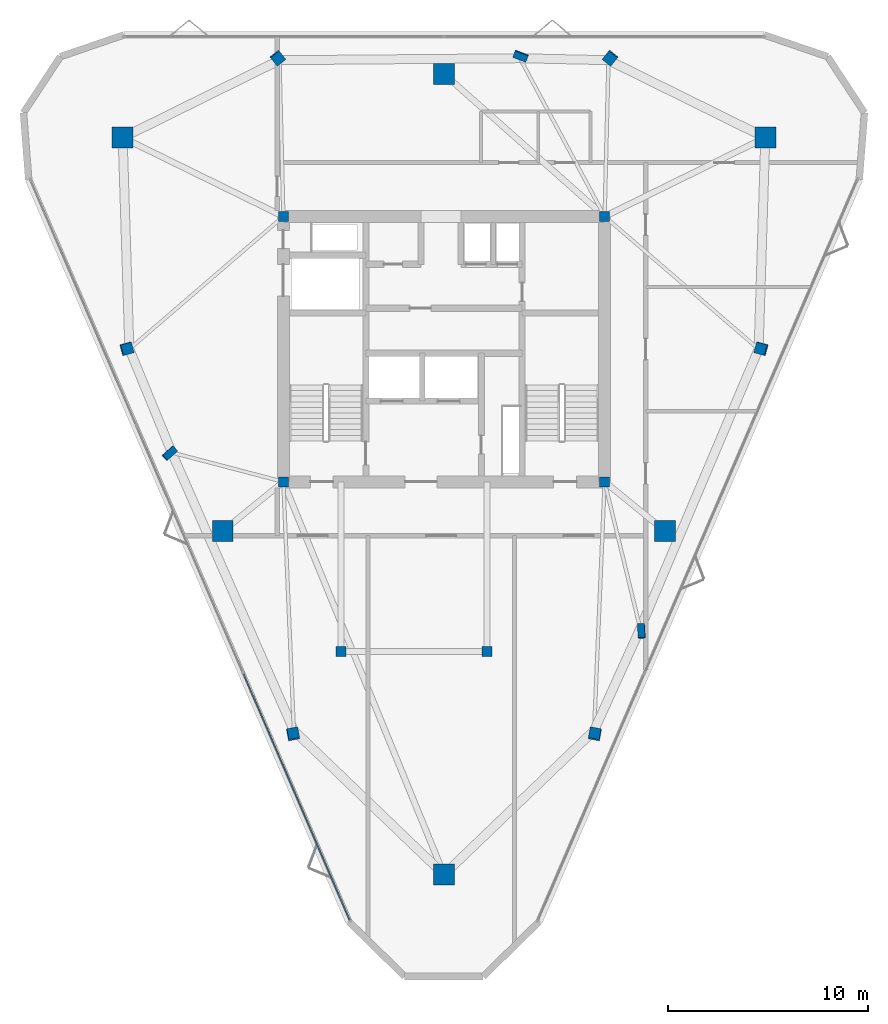
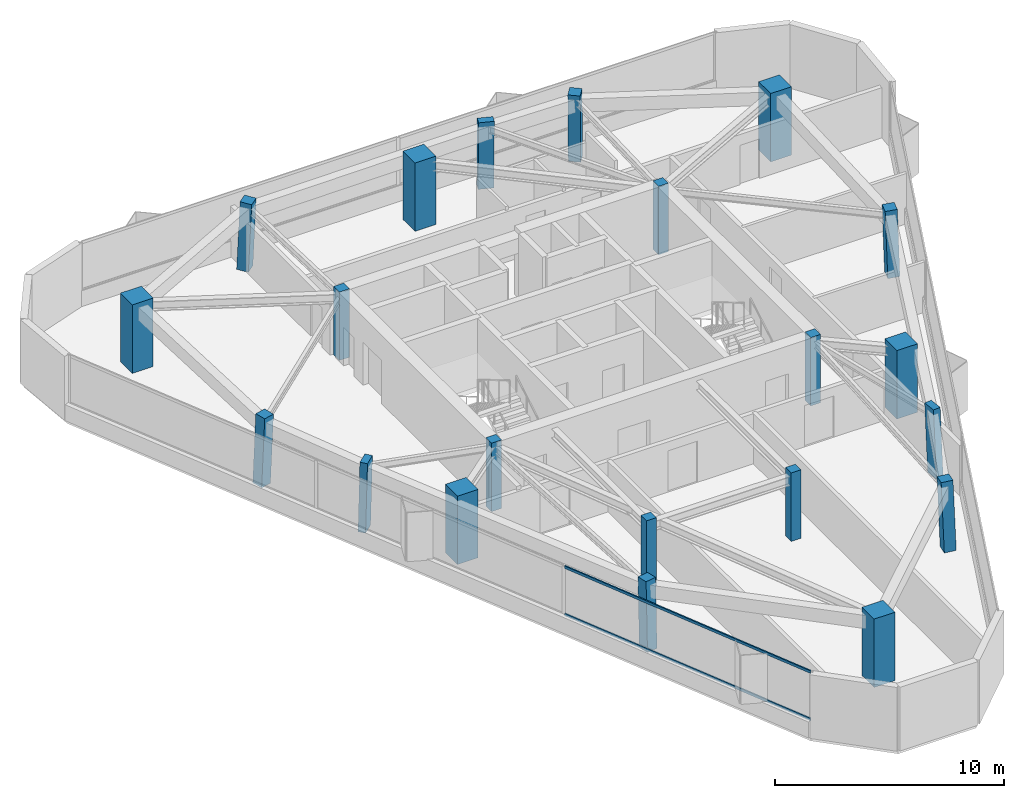
# One storey, part 1 of 9: 21 columns, 2 members, 1 element without a shape of its own.
"""IFC4 building model written with IfcOpenShell, lengths in metres."""

import ifcopenshell
import ifcopenshell.guid

model = None  # the IFC model being written
_history = None  # IfcOwnerHistory: only IFC2X3 demands one
_inside = {}  # id of a spatial element -> (the spatial element, [elements in it])
_under = {}  # id of a project, library or spatial element -> (it, [spatial elements below it])
_declared = {}  # id of a project -> (the project, [libraries it declares])
_typed = {}  # id of a type object -> (the type object, [elements of that type])
_made_of = {}  # id of a material, layer set ... -> (it, [elements and type objects made of it])


def new_model(schema):
    """Start an empty IFC model of exactly this schema.

    Asked for "IFC4X3", IfcOpenShell would pick the latest addendum, in which some entities
    have other attributes; the version numbers below select the first issue.
    IFC2X3 requires an IfcOwnerHistory on every rooted entity: one is made here for all.
    """
    global model, _history
    if schema == "IFC4X3":
        model = ifcopenshell.file(schema_version=(4, 3, 0, 0))
    else:
        model = ifcopenshell.file(schema=schema)
    _inside.clear()
    _under.clear()
    _declared.clear()
    _typed.clear()
    _made_of.clear()
    _history = None
    if model.schema == "IFC2X3":
        org = make("IfcOrganization", Name="unknown")
        user = make(
            "IfcPersonAndOrganization",
            ThePerson=make("IfcPerson", FamilyName="unknown"),
            TheOrganization=org,
        )
        app = make(
            "IfcApplication",
            ApplicationDeveloper=org,
            Version="unknown",
            ApplicationFullName="unknown",
            ApplicationIdentifier="unknown",
        )
        _history = make(
            "IfcOwnerHistory",
            OwningUser=user,
            OwningApplication=app,
            ChangeAction="ADDED",
            CreationDate=0,
        )
    return model


def make(cls, **values):
    """One entity of the class cls with the attributes given. An attribute that is None is left unset."""
    return model.create_entity(
        cls, **{name: value for name, value in values.items() if value is not None}
    )


def rooted(cls, **values):
    """An entity with a GlobalId (a new one), such as an element, a storey or a relation."""
    return make(cls, GlobalId=ifcopenshell.guid.new(), OwnerHistory=_history, **values)


def si_unit(unit_type, name, prefix=None):
    """IfcSIUnit, for example si_unit("LENGTHUNIT", "METRE", prefix="MILLI")."""
    return make("IfcSIUnit", UnitType=unit_type, Prefix=prefix, Name=name)


def assignment(units):
    """IfcUnitAssignment: the units of a project."""
    return None if units is None else make("IfcUnitAssignment", Units=units)


def point(xyz):
    """IfcCartesianPoint."""
    return None if xyz is None else make("IfcCartesianPoint", Coordinates=xyz)


def direction(xyz):
    """IfcDirection."""
    return None if xyz is None else make("IfcDirection", DirectionRatios=xyz)


def frame(location, z_axis=None, x_axis=None):
    """IfcAxis2Placement3D, a coordinate frame: its origin and axes. An axis left out is left unset."""
    return make(
        "IfcAxis2Placement3D",
        Location=point(location),
        Axis=direction(z_axis),
        RefDirection=direction(x_axis),
    )


def frame_2d(location, x_axis=None):
    """IfcAxis2Placement2D, a coordinate frame in the plane: its origin and x axis."""
    return make(
        "IfcAxis2Placement2D", Location=point(location), RefDirection=direction(x_axis)
    )


def origin():
    """The frame at (0, 0, 0) with its axes left unset."""
    return frame((0.0, 0.0, 0.0))


def origin_2d():
    """The frame at (0, 0) in the plane with its x axis left unset."""
    return frame_2d((0.0, 0.0))


def place(relative_to, where):
    """IfcLocalPlacement: puts the frame where relative to a parent placement (None: the world)."""
    return make(
        "IfcLocalPlacement", PlacementRelTo=relative_to, RelativePlacement=where
    )


def context(
    kind, dimensions, precision=None, world=None, true_north=None, identifier=None
):
    """IfcGeometricRepresentationContext, for example the 3D "Model" context."""
    return make(
        "IfcGeometricRepresentationContext",
        ContextIdentifier=identifier,
        ContextType=kind,
        CoordinateSpaceDimension=dimensions,
        Precision=precision,
        WorldCoordinateSystem=world,
        TrueNorth=true_north,
    )


def subcontext(parent, identifier, kind, view, scale=None):
    """IfcGeometricRepresentationSubContext, for example "Body" below "Model"."""
    return make(
        "IfcGeometricRepresentationSubContext",
        ContextIdentifier=identifier,
        ContextType=kind,
        ParentContext=parent,
        TargetScale=scale,
        TargetView=view,
    )


def project(units=None, contexts=None):
    """IfcProject with its units and contexts."""
    return rooted(
        "IfcProject",
        Name="project",
        RepresentationContexts=contexts,
        UnitsInContext=assignment(units),
    )


def spatial(cls, under=None, at=None, **own):
    """A site, building, storey or space (cls), placed at a placement, below another one or the project."""
    s = rooted(cls, ObjectPlacement=at, **own)
    if under is not None:
        _under.setdefault(under.id(), (under, []))[1].append(s)
    return s


def profile(cls, at=None, kind="AREA", **sizes):
    """A parametric profile (cls). Its sizes go by their IFC names, for example OverallWidth=200.0."""
    return make(cls, ProfileType=kind, Position=at, **sizes)


def rectangle(**sizes):
    """IfcRectangleProfileDef."""
    return profile("IfcRectangleProfileDef", **sizes)


def extrude(swept, where, along, depth):
    """IfcExtrudedAreaSolid: the profile swept, set in the frame where, extruded along a direction by depth."""
    return make(
        "IfcExtrudedAreaSolid",
        SweptArea=swept,
        Position=where,
        ExtrudedDirection=direction(along),
        Depth=depth,
    )


def shape(context_of_items, identifier, shape_type, items):
    """IfcShapeRepresentation: the items that make up one representation, for example the "Body"."""
    return make(
        "IfcShapeRepresentation",
        ContextOfItems=context_of_items,
        RepresentationIdentifier=identifier,
        RepresentationType=shape_type,
        Items=items,
    )


def material(Name=None, Category=None):
    """IfcMaterial."""
    return make("IfcMaterial", Name=Name, Category=Category)


def layer(
    of_material, thickness, ventilated=None, Name=None, Category=None, Priority=None
):
    """IfcMaterialLayer: one layer of a wall or slab, of a material (None: an air gap)."""
    return make(
        "IfcMaterialLayer",
        Material=of_material,
        LayerThickness=thickness,
        IsVentilated=ventilated,
        Name=Name,
        Category=Category,
        Priority=Priority,
    )


def layer_set(layers, Name=None):
    """IfcMaterialLayerSet."""
    return make("IfcMaterialLayerSet", MaterialLayers=layers, LayerSetName=Name)


def material_profile(
    of_material, cross_section, Name=None, Category=None, Priority=None
):
    """IfcMaterialProfile: a cross section and its material."""
    return make(
        "IfcMaterialProfile",
        Name=Name,
        Material=of_material,
        Profile=cross_section,
        Priority=Priority,
        Category=Category,
    )


def profile_set(profiles, Name=None, composite=None):
    """IfcMaterialProfileSet."""
    return make(
        "IfcMaterialProfileSet",
        Name=Name,
        MaterialProfiles=profiles,
        CompositeProfile=composite,
    )


def made_of(thing, what):
    """Note that an element or type object is made of a material, layer set ...; save() writes the relation."""
    if what is not None:
        _made_of.setdefault(what.id(), (what, []))[1].append(thing)
    return thing


def type_object(cls, material=None, **own):
    """A type object (cls), such as IfcWallType, which elements share."""
    return made_of(rooted(cls, **own), material)


def element(
    cls,
    number,
    at=None,
    inside=None,
    cuts=None,
    type_object=None,
    material=None,
    context=None,
    identifier="Body",
    shape_type=None,
    held_by="IfcProductDefinitionShape",
    body=None,
    shapes=None,
    **own,
):
    """One element of the class cls, such as IfcWall. Its Tag is "e" and its number.

    at: its placement. inside: the storey or other place that contains it. cuts: it is an
    opening in that element (IfcRelVoidsElement). A single representation is given by context,
    identifier, shape_type and body (its items); several are given by shapes. held_by: the class
    of the entity that holds the representations. save() writes the other relations.
    """
    e = rooted(cls, Tag="e%d" % number, ObjectPlacement=at, **own)
    if body is not None:
        shapes = [shape(context, identifier, shape_type, body)]
    if shapes is not None:
        e.Representation = make(held_by, Representations=shapes)
    if inside is not None:
        _inside.setdefault(inside.id(), (inside, []))[1].append(e)
    if cuts is not None:
        rooted(
            "IfcRelVoidsElement", RelatingBuildingElement=cuts, RelatedOpeningElement=e
        )
    if type_object is not None:
        _typed.setdefault(type_object.id(), (type_object, []))[1].append(e)
    return made_of(e, material)


def aggregate(whole, parts):
    """IfcRelAggregates: a whole, such as a stair, and the parts it consists of."""
    return rooted("IfcRelAggregates", RelatingObject=whole, RelatedObjects=parts)


def save(model, path):
    """Write the relations noted so far, then the file.

    IfcRelAggregates (storeys below a building ...), IfcRelContainedInSpatialStructure (elements
    in a storey), IfcRelDefinesByType, IfcRelAssociatesMaterial and IfcRelDeclares: one each for
    every whole, place, type object, material and project.
    """
    for whole, parts in _under.values():
        aggregate(whole, parts)
    for where, things in _inside.values():
        rooted(
            "IfcRelContainedInSpatialStructure",
            RelatedElements=things,
            RelatingStructure=where,
        )
    for kind, things in _typed.values():
        rooted("IfcRelDefinesByType", RelatedObjects=things, RelatingType=kind)
    for what, things in _made_of.values():
        rooted("IfcRelAssociatesMaterial", RelatedObjects=things, RelatingMaterial=what)
    for by, libraries in _declared.values():
        rooted("IfcRelDeclares", RelatingContext=by, RelatedDefinitions=libraries)
    model.write(path)


model = new_model("IFC4")

# Units and contexts
model_context = context("Model", 3, precision=1e-05, world=origin(), true_north=direction((0.0, 1.0)))
body_context = subcontext(model_context, "Body", "Model", "MODEL_VIEW")
ifc_project = project(units=[si_unit("LENGTHUNIT", "METRE"), si_unit("AREAUNIT", "SQUARE_METRE"), si_unit("VOLUMEUNIT", "CUBIC_METRE"), si_unit("PLANEANGLEUNIT", "RADIAN"), si_unit("MASSUNIT", "GRAM", prefix="KILO")], contexts=[model_context])

# Site, building, storey
site_placement = place(None, origin())
site = spatial("IfcSite", under=ifc_project, at=site_placement, CompositionType="ELEMENT")
building_placement = place(site_placement, origin())
building = spatial("IfcBuilding", under=site, at=building_placement, Name="Talyreon Biosciences Tower", CompositionType="ELEMENT")
storey_placement = place(building_placement, frame((0.0, 0.0, 294.75)))
storey = spatial("IfcBuildingStorey", under=building, at=storey_placement, Name="L78", CompositionType="ELEMENT", Elevation=294.75)

# Columns
ifc_material_1 = material(Name="Concrete C50/60", Category="concrete")
ifc_material_profile_1 = material_profile(ifc_material_1, rectangle(XDim=0.5, YDim=0.5, at=origin_2d()), Name="RC 500x500")
ifc_profile_set_1 = profile_set([ifc_material_profile_1], Name="Concrete C50/60")
column_type_1 = type_object("IfcColumnType", Name="CrownColumn_500", PredefinedType="COLUMN", material=ifc_profile_set_1)
for number, where, z_axis, x_axis, name in (
    (1, (57.949951171875, 61.35009765625, 0.0), (0.0, 0.0, 1.0), (1.0, 0.0, 0.0), "L78 Core Column CC1"),
    (2, (74.050048828125, 61.35009765625, 0.0), (0.0, 0.0, 1.0), (1.0, 0.0, 0.0), "L78 Core Column CC2"),
    (3, (74.050048828125, 74.64990234375, 0.0), (0.0, 0.0, 1.0), (1.0, 0.0, 0.0), "L78 Core Column CC3"),
    (4, (57.949951171875, 74.64990234375, 0.0), (0.0, 0.0, 1.0), (1.0, 0.0, 0.0), "L78 Core Column CC4"),
    (5, (60.85009765625, 52.840087890625, 0.0), (0.0, 0.0, 1.0), (1.0, 0.0, 0.0), "L78 Core Column CSW"),
    (6, (68.14990234375, 52.840087890625, 0.0), (0.0, 0.0, 1.0), (1.0, 0.0, 0.0), "L78 Core Column CSE"),
):
    element("IfcColumn", number, at=place(storey_placement, frame(where, z_axis=z_axis, x_axis=x_axis)), inside=storey, type_object=column_type_1, Name=name, PredefinedType="COLUMN", context=body_context, shape_type="SweptSolid", body=[
        extrude(rectangle(XDim=0.5, YDim=0.5, at=origin_2d()), origin(), (0.0, 0.0, 1.0), 3.64990234375),
    ])
ifc_material_2 = material(Name="Precast concrete C45/55", Category="concrete")
ifc_material_profile_2 = material_profile(ifc_material_2, rectangle(XDim=0.699951171875, YDim=0.35009765625, at=origin_2d()), Name="RC 700x350")
ifc_profile_set_2 = profile_set([ifc_material_profile_2], Name="Precast concrete C45/55")
column_type_2 = type_object("IfcColumnType", Name="FacadePilaster_700x350", PredefinedType="PILASTER", material=ifc_profile_set_2)
column_1_placement = place(storey_placement, frame((75.906494140625, 53.85302734375, 0.0029296875), z_axis=(-0.019545044433, 0.038353802945, 0.999073058909), x_axis=(0.063541971285, -0.997196171992, 0.039524833322)))
element("IfcColumn", 7, at=column_1_placement, inside=storey, type_object=column_type_2, Name="L78 Facade Pilaster PL-SE", PredefinedType="PILASTER", context=body_context, shape_type="SweptSolid", body=[
    extrude(rectangle(XDim=0.699951171875, YDim=0.35009765625, at=origin_2d()), origin(), (0.0, 0.0, 1.0), 3.6474609375),
])
column_2_placement = place(storey_placement, frame((69.85009765625, 82.7001953125, 0.0029296875), z_axis=(-0.012386580681, -0.033477245085, 0.999362720278), x_axis=(-0.937861842681, 0.347008881792, 0.0)))
element("IfcColumn", 8, at=column_2_placement, inside=storey, type_object=column_type_2, Name="L78 Facade Pilaster PL-N", PredefinedType="PILASTER", context=body_context, shape_type="SweptSolid", body=[
    extrude(rectangle(XDim=0.699951171875, YDim=0.35009765625, at=origin_2d()), origin(), (0.0, 0.0, 1.0), 3.646484375),
])
column_3_placement = place(storey_placement, frame((52.243408203125, 62.77685546875, 0.0029296875), z_axis=(0.031939563617, 0.010579561953, 0.999433808286), x_axis=(0.746553512127, 0.664607745096, -0.030893343763)))
element("IfcColumn", 9, at=column_3_placement, inside=storey, type_object=column_type_2, Name="L78 Facade Pilaster PL-SW", PredefinedType="PILASTER", context=body_context, shape_type="SweptSolid", body=[
    extrude(rectangle(XDim=0.699951171875, YDim=0.35009765625, at=origin_2d()), origin(), (0.0, 0.0, 1.0), 3.64599609375),
])
ifc_material_profile_3 = material_profile(ifc_material_1, rectangle(XDim=1.050048828125, YDim=1.050048828125, at=origin_2d()), Name="RC 1050x1050")
ifc_profile_set_3 = profile_set([ifc_material_profile_3], Name="Concrete C50/60")
column_type_3 = type_object("IfcColumnType", Name="MegaColumn_1050", PredefinedType="COLUMN", material=ifc_profile_set_3)
for number, where, z_axis, x_axis, name in (
    (10, (66.0, 41.6669921875, 0.0), (0.0, 0.0, 1.0), (1.0, 0.0, 0.0), "L78 Composite Mega-Column MC1"),
    (11, (82.102294921875, 78.5986328125, 0.0), (0.0, 0.0, 1.0), (1.0, 0.0, 0.0), "L78 Composite Mega-Column MC2"),
    (12, (49.897705078125, 78.5986328125, 0.0), (0.0, 0.0, 1.0), (1.0, 0.0, 0.0), "L78 Composite Mega-Column MC3"),
    (13, (77.086181640625, 58.88037109375, 0.0), (0.0, 0.0, 1.0), (1.0, 0.0, 0.0), "L78 Composite Mega-Column MC4"),
    (14, (66.0, 81.788818359375, 0.0), (0.0, 0.0, 1.0), (1.0, 0.0, 0.0), "L78 Composite Mega-Column MC5"),
    (15, (54.913818359375, 58.88037109375, 0.0), (0.0, 0.0, 1.0), (1.0, 0.0, 0.0), "L78 Composite Mega-Column MC6"),
):
    element("IfcColumn", number, at=place(storey_placement, frame(where, z_axis=z_axis, x_axis=x_axis)), inside=storey, type_object=column_type_3, Name=name, PredefinedType="COLUMN", context=body_context, shape_type="SweptSolid", body=[
        extrude(rectangle(XDim=1.050048828125, YDim=1.050048828125, at=origin_2d()), origin(), (0.0, 0.0, 1.0), 3.64990234375),
    ])
ifc_material_profile_4 = material_profile(ifc_material_1, rectangle(XDim=0.550048828125, YDim=0.550048828125, at=origin_2d()), Name="RC 550x550")
ifc_profile_set_4 = profile_set([ifc_material_profile_4], Name="Concrete C50/60")
column_type_4 = type_object("IfcColumnType", Name="PerimeterColumn_550", PredefinedType="COLUMN", material=ifc_profile_set_4)
column_4_placement = place(storey_placement, frame((73.56884765625, 48.68701171875, 0.0029296875), z_axis=(-0.012375096162, 0.054517315524, 0.998436136818), x_axis=(-0.183392966853, -0.9816986379, 0.051330342424)))
element("IfcColumn", 16, at=column_4_placement, inside=storey, type_object=column_type_4, Name="L78 Tapering Perimeter Column PC-SE1", PredefinedType="COLUMN", context=body_context, shape_type="SweptSolid", body=[
    extrude(rectangle(XDim=0.550048828125, YDim=0.550048828125, at=origin_2d()), origin(), (0.0, 0.0, 1.0), 3.649658203125),
])
column_5_placement = place(storey_placement, frame((81.910888671875, 68.02197265625, 0.0029296875), z_axis=(-0.039229522942, -0.005556400007, 0.999214777187), x_axis=(0.963952395036, -0.263576018558, 0.036379424759)))
element("IfcColumn", 17, at=column_5_placement, inside=storey, type_object=column_type_4, Name="L78 Tapering Perimeter Column PC-SE2", PredefinedType="COLUMN", context=body_context, shape_type="SweptSolid", body=[
    extrude(rectangle(XDim=0.550048828125, YDim=0.550048828125, at=origin_2d()), origin(), (0.0, 0.0, 1.0), 3.64697265625),
])
for number, where, z_axis, x_axis, name in (
    (18, (74.342041015625, 82.600341796875, 0.0029296875), (-0.026907963191, -0.033534551141, 0.999075270136), (-0.779956681152, 0.625833504637, 0.0), "L78 Tapering Perimeter Column PC-N1"),
    (19, (57.657958984375, 82.600341796875, 0.0029296875), (0.026841076243, -0.033534611465, 0.999077067328), (-0.780716755404, -0.624885067698, 0.0), "L78 Tapering Perimeter Column PC-N2"),
):
    element("IfcColumn", number, at=place(storey_placement, frame(where, z_axis=z_axis, x_axis=x_axis)), inside=storey, type_object=column_type_4, Name=name, PredefinedType="COLUMN", context=body_context, shape_type="SweptSolid", body=[
        extrude(rectangle(XDim=0.550048828125, YDim=0.550048828125, at=origin_2d()), origin(), (0.0, 0.0, 1.0), 3.6474609375),
    ])
column_6_placement = place(storey_placement, frame((50.089111328125, 68.02197265625, 0.0029296875), z_axis=(0.039229522942, -0.005556400007, 0.999214777187), x_axis=(0.963952395036, 0.263576018558, -0.036379424759)))
element("IfcColumn", 20, at=column_6_placement, inside=storey, type_object=column_type_4, Name="L78 Tapering Perimeter Column PC-SW1", PredefinedType="COLUMN", context=body_context, shape_type="SweptSolid", body=[
    extrude(rectangle(XDim=0.550048828125, YDim=0.550048828125, at=origin_2d()), origin(), (0.0, 0.0, 1.0), 3.64697265625),
])
column_7_placement = place(storey_placement, frame((58.43115234375, 48.68701171875, 0.0029296875), z_axis=(0.012308213911, 0.054517360531, 0.99843696109), x_axis=(-0.184538492172, 0.981484655258, -0.051316823762)))
element("IfcColumn", 21, at=column_7_placement, inside=storey, type_object=column_type_4, Name="L78 Tapering Perimeter Column PC-SW2", PredefinedType="COLUMN", context=body_context, shape_type="SweptSolid", body=[
    extrude(rectangle(XDim=0.550048828125, YDim=0.550048828125, at=origin_2d()), origin(), (0.0, 0.0, 1.0), 3.649658203125),
])

# Curtain wall, members
ifc_material_3 = material(Name="Thermally broken aluminium and low-E glazing", Category="aluminium")
ifc_layer = layer(ifc_material_3, 0.175048828125)
ifc_layer_set = layer_set([ifc_layer], Name="Thermally broken aluminium and low-E glazing")
curtain_wall_type = type_object("IfcCurtainWallType", Name="CurtainWall_Zone5CompLab", PredefinedType="NOTDEFINED", material=ifc_layer_set)
curtain_wall_placement = place(storey_placement, origin())
curtain_wall = element("IfcCurtainWall", 22, at=curtain_wall_placement, inside=storey, type_object=curtain_wall_type, Name="L78 Unitised Curtain Wall FCW-L78-00", PredefinedType="NOTDEFINED")
ifc_material_4 = material(Name="Anodised thermally broken aluminium", Category="aluminium")
ifc_material_profile_5 = material_profile(ifc_material_4, rectangle(XDim=0.06494140625, YDim=0.139892578125, at=origin_2d()), Name="ALUM TRANSOM 65x140")
ifc_profile_set_5 = profile_set([ifc_material_profile_5], Name="Anodised thermally broken aluminium")
member_type = type_object("IfcMemberType", Name="CWTransom_65x140", PredefinedType="USERDEFINED", material=ifc_profile_set_5)
member_1_placement = place(storey_placement, frame((61.273193359375, 39.39892578125, 0.842529296875), z_axis=(-0.39614983923, 0.918185877085, 0.0), x_axis=(-0.918185877085, -0.39614983923, 0.0)))
member_1 = element("IfcMember", 23, at=member_1_placement, type_object=member_type, Name="CW6 transom 1.1", ObjectType="TRANSOM", PredefinedType="USERDEFINED", context=body_context, shape_type="SweptSolid", body=[
    extrude(rectangle(XDim=0.06494140625, YDim=0.139892578125, at=origin_2d()), origin(), (0.0, 0.0, 1.0), 13.401123046875),
])
member_2_placement = place(storey_placement, frame((61.273193359375, 39.39892578125, 3.367431640625), z_axis=(-0.39614983923, 0.918185877085, 0.0), x_axis=(-0.918185877085, -0.39614983923, 0.0)))
member_2 = element("IfcMember", 24, at=member_2_placement, type_object=member_type, Name="CW6 transom 1.2", ObjectType="TRANSOM", PredefinedType="USERDEFINED", context=body_context, shape_type="SweptSolid", body=[
    extrude(rectangle(XDim=0.06494140625, YDim=0.139892578125, at=origin_2d()), origin(), (0.0, 0.0, 1.0), 13.401123046875),
])
aggregate(curtain_wall, [member_1, member_2])

save(model, "model.ifc")
